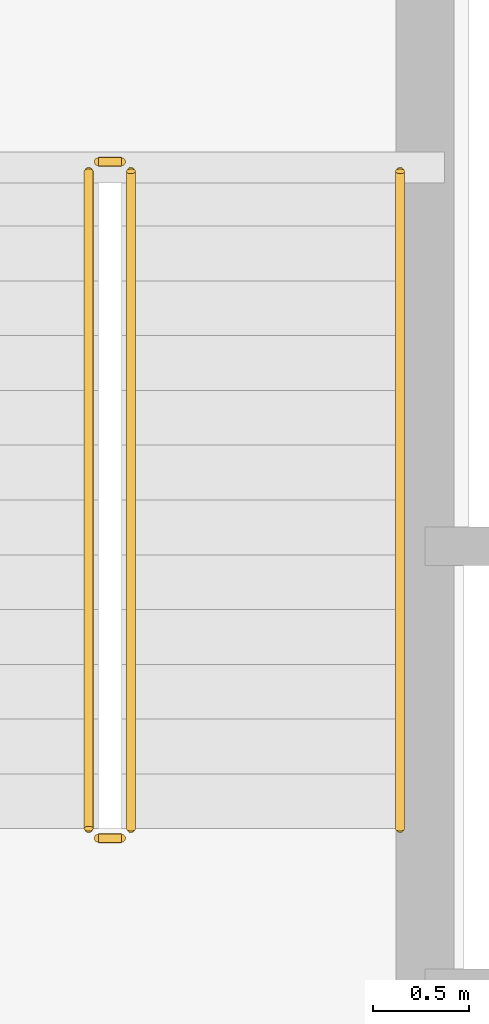
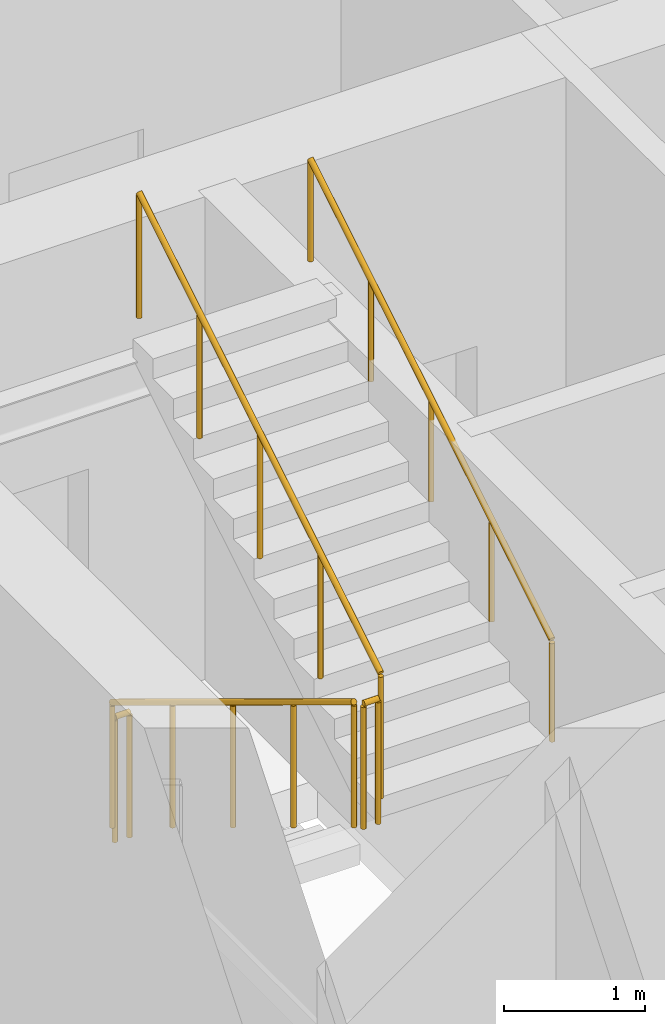
# One storey, part 18 of 21: 5 railings.
"""IFC4 building model written with IfcOpenShell, lengths in metres."""

from ifc_helpers import new_model, si_unit, direction, frame, origin, origin_2d, place, context, subcontext, project, spatial, circle, extrude, material, type_object, element, save


model = new_model("IFC4")

# Units and contexts
model_context = context("Model", 3, precision=1e-05, world=origin(), true_north=direction((0.0, 1.0)))
body_context = subcontext(model_context, "Body", "Model", "MODEL_VIEW")
ifc_project = project(units=[si_unit("LENGTHUNIT", "METRE"), si_unit("AREAUNIT", "SQUARE_METRE"), si_unit("VOLUMEUNIT", "CUBIC_METRE"), si_unit("PLANEANGLEUNIT", "RADIAN"), si_unit("MASSUNIT", "GRAM", prefix="KILO")], contexts=[model_context])

# Site, building, storey
site_placement = place(None, origin())
site = spatial("IfcSite", under=ifc_project, at=site_placement, CompositionType="ELEMENT")
building_placement = place(site_placement, origin())
building = spatial("IfcBuilding", under=site, at=building_placement, Name="Qobustan Lattice House", CompositionType="ELEMENT")
storey_placement = place(building_placement, frame((0.0, 0.0, 13.5)))
storey = spatial("IfcBuildingStorey", under=building, at=storey_placement, Name="L03", CompositionType="ELEMENT", Elevation=13.5)

# Railings
ifc_material_1 = material(Name="Brushed stainless steel handrail", Category="steel")
railing_type_1 = type_object("IfcRailingType", Name="RAL-HR-920", PredefinedType="HANDRAIL", material=ifc_material_1)
railing_1_placement = place(storey_placement, frame((-15.179931640625, 0.080078125, 2.423095703125)))
element("IfcRailing", 1, at=railing_1_placement, inside=storey, type_object=railing_type_1, Name="L03 ST-W1 stair handrail 2", PredefinedType="HANDRAIL", context=body_context, shape_type="SweptSolid", body=[
    extrude(circle(Radius=0.02392578125, at=origin_2d()), frame((0.0, 0.0, 0.8759765625), z_axis=(0.0, 0.854729506542, 0.519073665916), x_axis=(-1.0, 0.0, 0.0)), (0.0, 0.0, 1.0), 4.001220703125),
    extrude(circle(Radius=0.02099609375, at=origin_2d()), origin(), (0.0, 0.0, 1.0), 0.851806640625),
    extrude(circle(Radius=0.02099609375, at=origin_2d()), frame((0.0, 0.85498046875, 0.519287109375)), (0.0, 0.0, 1.0), 0.851806640625),
    extrude(circle(Radius=0.02099609375, at=origin_2d()), frame((0.0, 1.7099609375, 1.03857421875)), (0.0, 0.0, 1.0), 0.851806640625),
    extrude(circle(Radius=0.02099609375, at=origin_2d()), frame((0.0, 2.56494140625, 1.5576171875)), (0.0, 0.0, 1.0), 0.851806640625),
    extrude(circle(Radius=0.02099609375, at=origin_2d()), frame((0.0, 3.419921875, 2.076904296875)), (0.0, 0.0, 1.0), 0.851806640625),
])
ifc_material_2 = material(Name="Painted galvanized steel guardrail", Category="steel")
railing_type_2 = type_object("IfcRailingType", Name="RAL-STG-1150", PredefinedType="GUARDRAIL", material=ifc_material_2)
railing_2_placement = place(storey_placement, frame((-16.800048828125, 3.5, 0.173095703125)))
element("IfcRailing", 2, at=railing_2_placement, inside=storey, type_object=railing_type_2, Name="L03 ST-W1 stair guard 1", PredefinedType="GUARDRAIL", context=body_context, shape_type="SweptSolid", body=[
    extrude(circle(Radius=0.02392578125, at=origin_2d()), frame((0.0, 0.0, 1.076171875), z_axis=(0.0, -0.854729506542, 0.519073665916), x_axis=(1.0, 0.0, 0.0)), (0.0, 0.0, 1.0), 4.001220703125),
    extrude(circle(Radius=0.02099609375, at=origin_2d()), origin(), (0.0, 0.0, 1.0), 1.052001953125),
    extrude(circle(Radius=0.02099609375, at=origin_2d()), frame((0.0, -0.85498046875, 0.519287109375)), (0.0, 0.0, 1.0), 1.052001953125),
    extrude(circle(Radius=0.02099609375, at=origin_2d()), frame((0.0, -1.7099609375, 1.03857421875)), (0.0, 0.0, 1.0), 1.052001953125),
    extrude(circle(Radius=0.02099609375, at=origin_2d()), frame((0.0, -2.56494140625, 1.5576171875)), (0.0, 0.0, 1.0), 1.052001953125),
    extrude(circle(Radius=0.02099609375, at=origin_2d()), frame((0.0, -3.419921875, 2.076904296875)), (0.0, 0.0, 1.0), 1.052001953125),
])
railing_3_placement = place(storey_placement, frame((-16.75, 0.030029296875, 2.25)))
element("IfcRailing", 3, at=railing_3_placement, inside=storey, type_object=railing_type_2, Name="L03 ST-W1 stair guard 2", PredefinedType="GUARDRAIL", context=body_context, shape_type="SweptSolid", body=[
    extrude(circle(Radius=0.02392578125, at=origin_2d()), frame((0.0, 0.0, 1.076171875), z_axis=(1.0, 0.0, 0.0), x_axis=(0.0, 1.0, 0.0)), (0.0, 0.0, 1.0), 0.1201171875),
    extrude(circle(Radius=0.02099609375, at=origin_2d()), origin(), (0.0, 0.0, 1.0), 1.052001953125),
    extrude(circle(Radius=0.02099609375, at=origin_2d()), frame((0.1201171875, 0.0, 0.0)), (0.0, 0.0, 1.0), 1.052001953125),
])
railing_4_placement = place(storey_placement, frame((-16.580078125, 0.080078125, 2.423095703125)))
element("IfcRailing", 4, at=railing_4_placement, inside=storey, type_object=railing_type_2, Name="L03 ST-W1 stair guard 3", PredefinedType="GUARDRAIL", context=body_context, shape_type="SweptSolid", body=[
    extrude(circle(Radius=0.02392578125, at=origin_2d()), frame((0.0, 0.0, 1.076171875), z_axis=(0.0, 0.854729506542, 0.519073665916), x_axis=(-1.0, 0.0, 0.0)), (0.0, 0.0, 1.0), 4.001220703125),
    extrude(circle(Radius=0.02099609375, at=origin_2d()), origin(), (0.0, 0.0, 1.0), 1.052001953125),
    extrude(circle(Radius=0.02099609375, at=origin_2d()), frame((0.0, 0.85498046875, 0.519287109375)), (0.0, 0.0, 1.0), 1.052001953125),
    extrude(circle(Radius=0.02099609375, at=origin_2d()), frame((0.0, 1.7099609375, 1.03857421875)), (0.0, 0.0, 1.0), 1.052001953125),
    extrude(circle(Radius=0.02099609375, at=origin_2d()), frame((0.0, 2.56494140625, 1.5576171875)), (0.0, 0.0, 1.0), 1.052001953125),
    extrude(circle(Radius=0.02099609375, at=origin_2d()), frame((0.0, 3.419921875, 2.076904296875)), (0.0, 0.0, 1.0), 1.052001953125),
])
railing_5_placement = place(storey_placement, frame((-16.75, 3.550048828125, 0.0)))
element("IfcRailing", 5, at=railing_5_placement, inside=storey, type_object=railing_type_2, Name="L03 ST-W1 stair guard 4", PredefinedType="GUARDRAIL", context=body_context, shape_type="SweptSolid", body=[
    extrude(circle(Radius=0.02392578125, at=origin_2d()), frame((0.0, 0.0, 1.076171875), z_axis=(1.0, 0.0, 0.0), x_axis=(0.0, 1.0, 0.0)), (0.0, 0.0, 1.0), 0.1201171875),
    extrude(circle(Radius=0.02099609375, at=origin_2d()), origin(), (0.0, 0.0, 1.0), 1.052001953125),
    extrude(circle(Radius=0.02099609375, at=origin_2d()), frame((0.1201171875, 0.0, 0.0)), (0.0, 0.0, 1.0), 1.052001953125),
])

save(model, "model.ifc")
